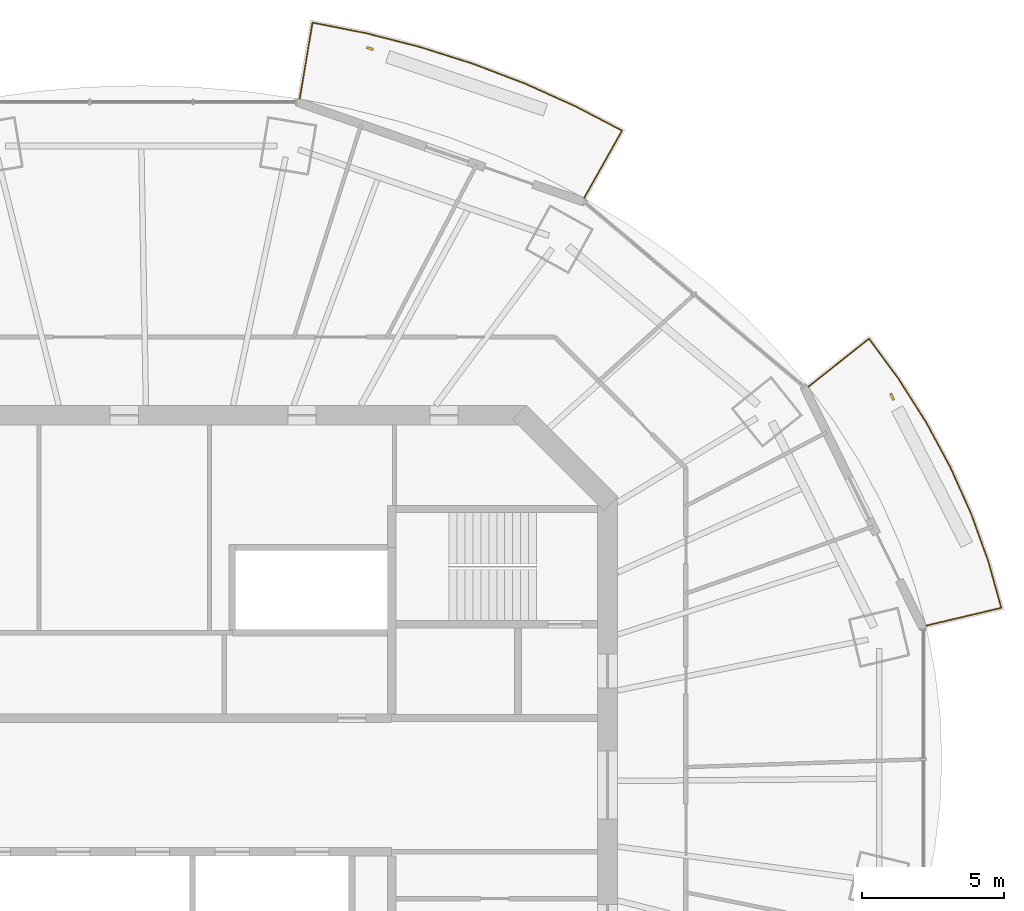
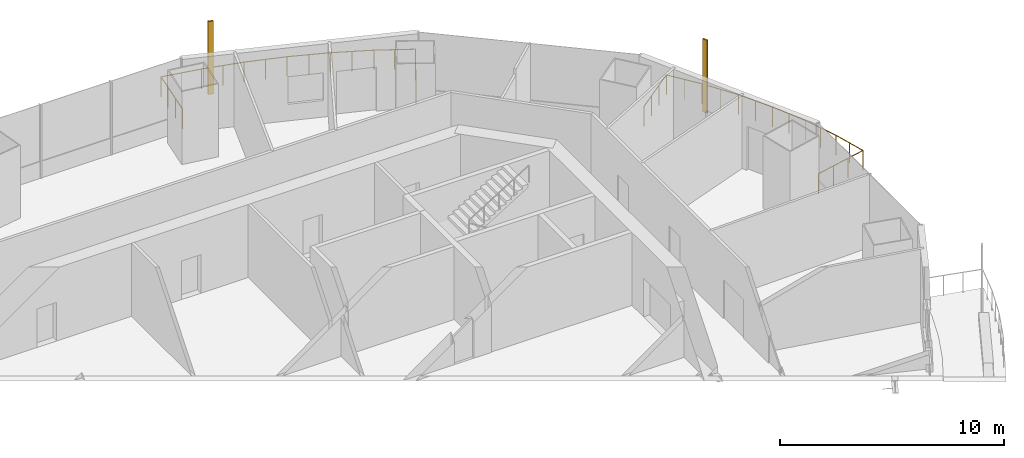
# One storey, part 15 of 16: 2 railings, 2 shading devices.
"""IFC4 building model written with IfcOpenShell, lengths in metres."""

from ifc_helpers import new_model, si_unit, direction, frame, origin, origin_2d, place, context, subcontext, project, spatial, rectangle, circle, extrude, material, material_profile, profile_set, type_object, element, save


model = new_model("IFC4")

# Units and contexts
model_context = context("Model", 3, precision=1e-05, world=origin(), true_north=direction((0.0, 1.0)))
body_context = subcontext(model_context, "Body", "Model", "MODEL_VIEW")
ifc_project = project(units=[si_unit("LENGTHUNIT", "METRE"), si_unit("AREAUNIT", "SQUARE_METRE"), si_unit("VOLUMEUNIT", "CUBIC_METRE"), si_unit("PLANEANGLEUNIT", "RADIAN"), si_unit("MASSUNIT", "GRAM", prefix="KILO")], contexts=[model_context])

# Site, building, storey
site_placement = place(None, origin())
site = spatial("IfcSite", under=ifc_project, at=site_placement, CompositionType="ELEMENT")
building_placement = place(site_placement, origin())
building = spatial("IfcBuilding", under=site, at=building_placement, Name="Marenthal Gate Tower", CompositionType="ELEMENT")
storey_placement = place(building_placement, frame((0.0, 0.0, 317.699951171875)))
storey = spatial("IfcBuildingStorey", under=building, at=storey_placement, Name="L71", CompositionType="ELEMENT", Elevation=317.699951171875)

# Railings
ifc_material_1 = material(Name="Stainless steel", Category="steel")
railing_type = type_object("IfcRailingType", Name="Balcony guard 1100", PredefinedType="GUARDRAIL", material=ifc_material_1)
railing_1_placement = place(storey_placement, frame((23.058837890625, 14.0, 0.0)))
element("IfcRailing", 1, at=railing_1_placement, inside=storey, type_object=railing_type, Name="Balcony guard L71 bay 1", PredefinedType="GUARDRAIL", context=body_context, shape_type="SweptSolid", body=[
    extrude(circle(Radius=0.02392578125, at=origin_2d()), frame((0.0, 0.0, 1.076171875), z_axis=(0.783412805751, 0.621327397665, -0.014718719228), x_axis=(-0.621394711002, 0.78349767909, 0.0)), (0.0, 0.0, 1.0), 2.72021484375),
    extrude(circle(Radius=0.02392578125, at=origin_2d()), frame((2.131103515625, 1.690185546875, 1.0361328125), z_axis=(0.593022623899, -0.805185796909, 0.0), x_axis=(0.805185796909, 0.593022623899, 0.0)), (0.0, 0.0, 1.0), 1.746826171875),
    extrude(circle(Radius=0.02392578125, at=origin_2d()), frame((3.1669921875, 0.28369140625, 1.0361328125), z_axis=(0.536108654335, -0.844148986108, 0.0), x_axis=(0.844148986108, 0.536108654335, 0.0)), (0.0, 0.0, 1.0), 1.8134765625),
    extrude(circle(Radius=0.02392578125, at=origin_2d()), frame((4.13916015625, -1.2470703125, 1.0361328125), z_axis=(0.473954337588, -0.880549422736, 0.0), x_axis=(0.880549422736, 0.473954337588, 0.0)), (0.0, 0.0, 1.0), 1.80126953125),
    extrude(circle(Radius=0.02392578125, at=origin_2d()), frame((4.992919921875, -2.833251953125, 1.0361328125), z_axis=(0.408186684853, -0.912898477547, 0.0), x_axis=(0.912898477547, 0.408186684853, 0.0)), (0.0, 0.0, 1.0), 1.790771484375),
    extrude(circle(Radius=0.02392578125, at=origin_2d()), frame((5.723876953125, -4.468017578125, 1.0361328125), z_axis=(0.33912231199, -0.940742290699, 0.0), x_axis=(0.940742290699, 0.33912231199, 0.0)), (0.0, 0.0, 1.0), 1.781005859375),
    extrude(circle(Radius=0.02392578125, at=origin_2d()), frame((6.327880859375, -6.1435546875, 1.0361328125), z_axis=(0.268699441424, -0.963224070598, 0.0), x_axis=(0.963224070598, 0.268699441424, 0.0)), (0.0, 0.0, 1.0), 1.693603515625),
    extrude(circle(Radius=0.02392578125, at=origin_2d()), frame((6.782958984375, -7.77490234375, 1.0361328125), z_axis=(-0.973117172157, -0.229839811666, 0.014718363574), x_axis=(0.229864710837, -0.973222592582, 0.0)), (0.0, 0.0, 1.0), 2.720458984375),
    extrude(circle(Radius=0.02099609375, at=origin_2d()), origin(), (0.0, 0.0, 1.0), 1.052001953125),
    extrude(circle(Radius=0.02099609375, at=origin_2d()), frame((0.71044921875, 0.5634765625, -0.013427734375)), (0.0, 0.0, 1.0), 1.052001953125),
    extrude(circle(Radius=0.02099609375, at=origin_2d()), frame((1.420654296875, 1.126708984375, -0.026611328125)), (0.0, 0.0, 1.0), 1.052001953125),
    extrude(circle(Radius=0.02099609375, at=origin_2d()), frame((2.131103515625, 1.690185546875, -0.0400390625)), (0.0, 0.0, 1.0), 1.052001953125),
    extrude(circle(Radius=0.02099609375, at=origin_2d()), frame((2.64892578125, 0.98681640625, -0.0400390625)), (0.0, 0.0, 1.0), 1.052001953125),
    extrude(circle(Radius=0.02099609375, at=origin_2d()), frame((3.1669921875, 0.28369140625, -0.0400390625)), (0.0, 0.0, 1.0), 1.052001953125),
    extrude(circle(Radius=0.02099609375, at=origin_2d()), frame((3.653076171875, -0.481689453125, -0.0400390625)), (0.0, 0.0, 1.0), 1.052001953125),
    extrude(circle(Radius=0.02099609375, at=origin_2d()), frame((4.13916015625, -1.2470703125, -0.0400390625)), (0.0, 0.0, 1.0), 1.052001953125),
    extrude(circle(Radius=0.02099609375, at=origin_2d()), frame((4.56591796875, -2.0400390625, -0.0400390625)), (0.0, 0.0, 1.0), 1.052001953125),
    extrude(circle(Radius=0.02099609375, at=origin_2d()), frame((4.992919921875, -2.833251953125, -0.0400390625)), (0.0, 0.0, 1.0), 1.052001953125),
    extrude(circle(Radius=0.02099609375, at=origin_2d()), frame((5.3583984375, -3.650634765625, -0.0400390625)), (0.0, 0.0, 1.0), 1.052001953125),
    extrude(circle(Radius=0.02099609375, at=origin_2d()), frame((5.723876953125, -4.468017578125, -0.0400390625)), (0.0, 0.0, 1.0), 1.052001953125),
    extrude(circle(Radius=0.02099609375, at=origin_2d()), frame((6.02587890625, -5.3056640625, -0.0400390625)), (0.0, 0.0, 1.0), 1.052001953125),
    extrude(circle(Radius=0.02099609375, at=origin_2d()), frame((6.327880859375, -6.1435546875, -0.0400390625)), (0.0, 0.0, 1.0), 1.052001953125),
    extrude(circle(Radius=0.02099609375, at=origin_2d()), frame((6.555419921875, -6.959228515625, -0.0400390625)), (0.0, 0.0, 1.0), 1.052001953125),
    extrude(circle(Radius=0.02099609375, at=origin_2d()), frame((6.782958984375, -7.77490234375, -0.0400390625)), (0.0, 0.0, 1.0), 1.052001953125),
    extrude(circle(Radius=0.02099609375, at=origin_2d()), frame((5.900634765625, -7.9833984375, -0.026611328125)), (0.0, 0.0, 1.0), 1.052001953125),
    extrude(circle(Radius=0.02099609375, at=origin_2d()), frame((5.01806640625, -8.191650390625, -0.013427734375)), (0.0, 0.0, 1.0), 1.052001953125),
    extrude(circle(Radius=0.02099609375, at=origin_2d()), frame((4.1357421875, -8.400146484375, 0.0)), (0.0, 0.0, 1.0), 1.052001953125),
])
railing_2_placement = place(storey_placement, frame((5.17138671875, 24.12353515625, 0.0)))
element("IfcRailing", 2, at=railing_2_placement, inside=storey, type_object=railing_type, Name="Balcony guard L71 bay 3", PredefinedType="GUARDRAIL", context=body_context, shape_type="SweptSolid", body=[
    extrude(circle(Radius=0.02392578125, at=origin_2d()), frame((0.0, 0.0, 1.076171875), z_axis=(0.165225230724, 0.986146026723, -0.014718597414), x_axis=(-0.986252861995, 0.165243130591, 0.0)), (0.0, 0.0, 1.0), 2.72021484375),
    extrude(circle(Radius=0.02392578125, at=origin_2d()), frame((0.449462890625, 2.6826171875, 1.0361328125), z_axis=(0.981061826101, -0.193694846002, 0.0), x_axis=(0.193694846002, 0.981061826101, 0.0)), (0.0, 0.0, 1.0), 1.900634765625),
    extrude(circle(Radius=0.02392578125, at=origin_2d()), frame((2.314208984375, 2.314453125, 1.0361328125), z_axis=(0.968929698625, -0.247336287518, 0.0), x_axis=(0.247336287518, 0.968929698625, 0.0)), (0.0, 0.0, 1.0), 1.97314453125),
    extrude(circle(Radius=0.02392578125, at=origin_2d()), frame((4.22607421875, 1.826416015625, 1.0361328125), z_axis=(0.953300483084, -0.302023490729, 0.0), x_axis=(0.302023490729, 0.953300483084, 0.0)), (0.0, 0.0, 1.0), 1.96435546875),
    extrude(circle(Radius=0.02392578125, at=origin_2d()), frame((6.0986328125, 1.233154296875, 1.0361328125), z_axis=(0.93439466909, -0.356239529497, 0.0), x_axis=(0.356239529497, 0.93439466909, 0.0)), (0.0, 0.0, 1.0), 1.953857421875),
    extrude(circle(Radius=0.02392578125, at=origin_2d()), frame((7.92431640625, 0.537109375, 1.0361328125), z_axis=(0.911961495796, -0.410275797709, 0.0), x_axis=(0.410275797709, 0.911961495796, 0.0)), (0.0, 0.0, 1.0), 1.941650390625),
    extrude(circle(Radius=0.02392578125, at=origin_2d()), frame((9.695068359375, -0.259521484375, 1.0361328125), z_axis=(0.88661074156, -0.462516370467, 0.0), x_axis=(0.462516370467, 0.88661074156, 0.0)), (0.0, 0.0, 1.0), 1.84912109375),
    extrude(circle(Radius=0.02392578125, at=origin_2d()), frame((11.33447265625, -1.11474609375, 1.0361328125), z_axis=(-0.490391346697, -0.871378035337, 0.014718920362), x_axis=(0.871472441229, -0.490444476143, 0.0)), (0.0, 0.0, 1.0), 2.72021484375),
    extrude(circle(Radius=0.02099609375, at=origin_2d()), origin(), (0.0, 0.0, 1.0), 1.052001953125),
    extrude(circle(Radius=0.02099609375, at=origin_2d()), frame((0.14990234375, 0.894287109375, -0.013427734375)), (0.0, 0.0, 1.0), 1.052001953125),
    extrude(circle(Radius=0.02099609375, at=origin_2d()), frame((0.299560546875, 1.788330078125, -0.026611328125)), (0.0, 0.0, 1.0), 1.052001953125),
    extrude(circle(Radius=0.02099609375, at=origin_2d()), frame((0.449462890625, 2.6826171875, -0.0400390625)), (0.0, 0.0, 1.0), 1.052001953125),
    extrude(circle(Radius=0.02099609375, at=origin_2d()), frame((1.3818359375, 2.49853515625, -0.0400390625)), (0.0, 0.0, 1.0), 1.052001953125),
    extrude(circle(Radius=0.02099609375, at=origin_2d()), frame((2.314208984375, 2.314453125, -0.0400390625)), (0.0, 0.0, 1.0), 1.052001953125),
    extrude(circle(Radius=0.02099609375, at=origin_2d()), frame((3.27001953125, 2.0703125, -0.0400390625)), (0.0, 0.0, 1.0), 1.052001953125),
    extrude(circle(Radius=0.02099609375, at=origin_2d()), frame((4.22607421875, 1.826416015625, -0.0400390625)), (0.0, 0.0, 1.0), 1.052001953125),
    extrude(circle(Radius=0.02099609375, at=origin_2d()), frame((5.162353515625, 1.52978515625, -0.0400390625)), (0.0, 0.0, 1.0), 1.052001953125),
    extrude(circle(Radius=0.02099609375, at=origin_2d()), frame((6.0986328125, 1.233154296875, -0.0400390625)), (0.0, 0.0, 1.0), 1.052001953125),
    extrude(circle(Radius=0.02099609375, at=origin_2d()), frame((7.011474609375, 0.88525390625, -0.0400390625)), (0.0, 0.0, 1.0), 1.052001953125),
    extrude(circle(Radius=0.02099609375, at=origin_2d()), frame((7.92431640625, 0.537109375, -0.0400390625)), (0.0, 0.0, 1.0), 1.052001953125),
    extrude(circle(Radius=0.02099609375, at=origin_2d()), frame((8.8095703125, 0.138671875, -0.0400390625)), (0.0, 0.0, 1.0), 1.052001953125),
    extrude(circle(Radius=0.02099609375, at=origin_2d()), frame((9.695068359375, -0.259521484375, -0.0400390625)), (0.0, 0.0, 1.0), 1.052001953125),
    extrude(circle(Radius=0.02099609375, at=origin_2d()), frame((10.5146484375, -0.68701171875, -0.0400390625)), (0.0, 0.0, 1.0), 1.052001953125),
    extrude(circle(Radius=0.02099609375, at=origin_2d()), frame((11.33447265625, -1.11474609375, -0.0400390625)), (0.0, 0.0, 1.0), 1.052001953125),
    extrude(circle(Radius=0.02099609375, at=origin_2d()), frame((10.889892578125, -1.90478515625, -0.026611328125)), (0.0, 0.0, 1.0), 1.052001953125),
    extrude(circle(Radius=0.02099609375, at=origin_2d()), frame((10.445068359375, -2.695068359375, -0.013427734375)), (0.0, 0.0, 1.0), 1.052001953125),
    extrude(circle(Radius=0.02099609375, at=origin_2d()), frame((10.00048828125, -3.485107421875, 0.0)), (0.0, 0.0, 1.0), 1.052001953125),
])

# Shading devices
ifc_material_2 = material(Name="Terracotta", Category="masonry")
ifc_material_profile = material_profile(ifc_material_2, rectangle(XDim=0.25, YDim=0.080078125, at=origin_2d()), Name="Terracotta baguette 250x80")
ifc_profile_set = profile_set([ifc_material_profile], Name="Terracotta")
shading_device_type = type_object("IfcShadingDeviceType", Name="Terracotta BAGUETTE SCREEN 250x80", PredefinedType="USERDEFINED", material=ifc_profile_set)
for number, where, z_axis, x_axis, name in (
    (3, (26.009765625, 13.644775390625, -0.0400390625), (0.0, 0.0, 1.0), (-0.441517596382, 0.897252591016, 0.0), "Terracotta BAGUETTE L71 bay 1R"),
    (4, (7.64013671875, 25.897705078125, -0.0400390625), (0.0, 0.0, 1.0), (-0.944249095616, 0.329231902203, 0.0), "Terracotta BAGUETTE L71 bay 3R"),
):
    element("IfcShadingDevice", number, at=place(storey_placement, frame(where, z_axis=z_axis, x_axis=x_axis)), inside=storey, type_object=shading_device_type, Name=name, ObjectType="BAGUETTE SCREEN", PredefinedType="USERDEFINED", context=body_context, shape_type="SweptSolid", body=[
        extrude(rectangle(XDim=0.25, YDim=0.080078125, at=origin_2d()), origin(), (0.0, 0.0, 1.0), 3.969970703125),
    ])

save(model, "model.ifc")
